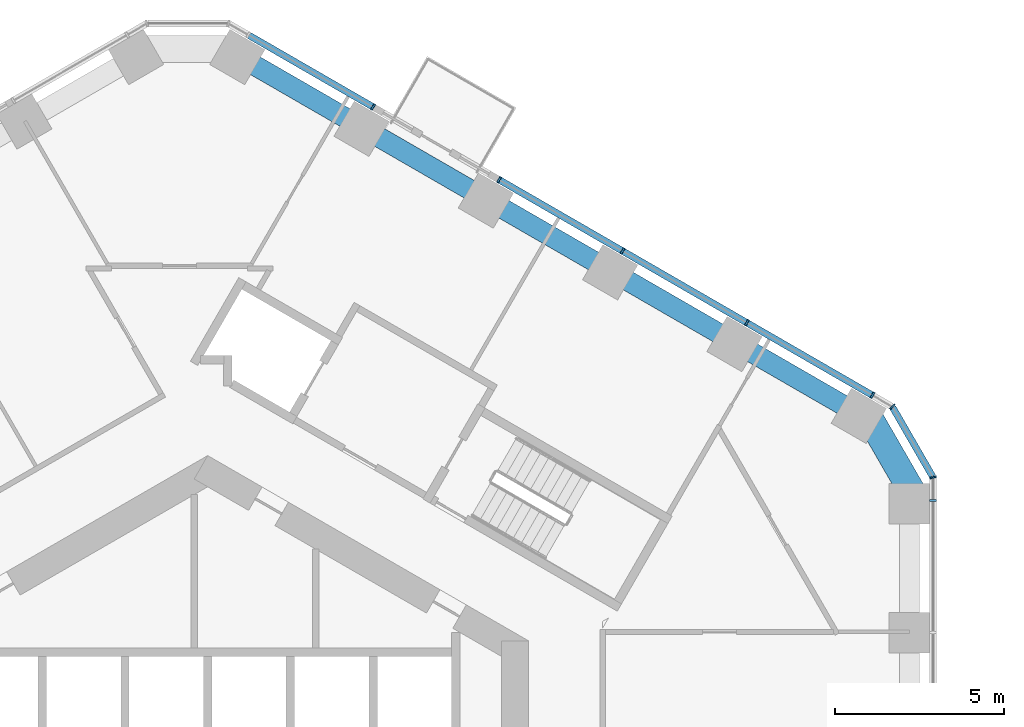
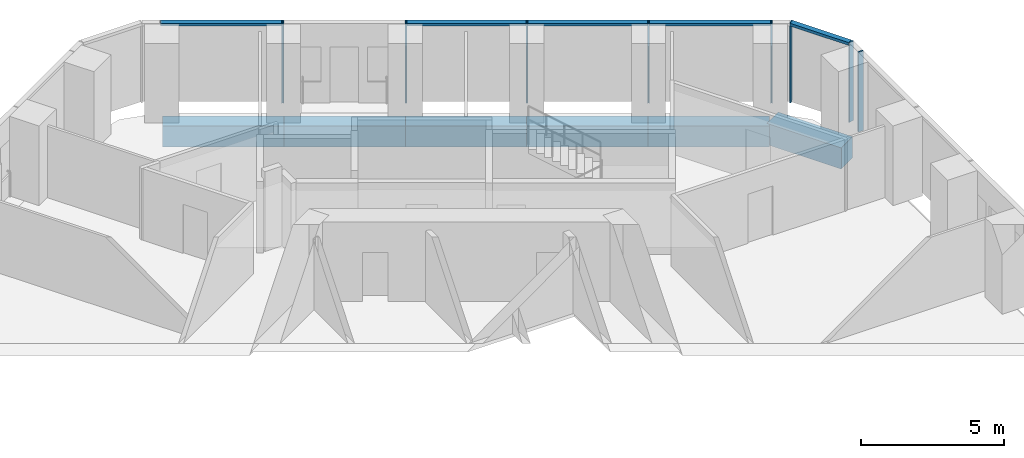
# One storey, part 7 of 20: 11 members, 6 beams, 4 elements without a shape of their own.
"""IFC4 building model written with IfcOpenShell, lengths in metres."""

import ifcopenshell
import ifcopenshell.guid

model = None  # the IFC model being written
_history = None  # IfcOwnerHistory: only IFC2X3 demands one
_inside = {}  # id of a spatial element -> (the spatial element, [elements in it])
_under = {}  # id of a project, library or spatial element -> (it, [spatial elements below it])
_declared = {}  # id of a project -> (the project, [libraries it declares])
_typed = {}  # id of a type object -> (the type object, [elements of that type])
_made_of = {}  # id of a material, layer set ... -> (it, [elements and type objects made of it])


def new_model(schema):
    """Start an empty IFC model of exactly this schema.

    Asked for "IFC4X3", IfcOpenShell would pick the latest addendum, in which some entities
    have other attributes; the version numbers below select the first issue.
    IFC2X3 requires an IfcOwnerHistory on every rooted entity: one is made here for all.
    """
    global model, _history
    if schema == "IFC4X3":
        model = ifcopenshell.file(schema_version=(4, 3, 0, 0))
    else:
        model = ifcopenshell.file(schema=schema)
    _inside.clear()
    _under.clear()
    _declared.clear()
    _typed.clear()
    _made_of.clear()
    _history = None
    if model.schema == "IFC2X3":
        org = make("IfcOrganization", Name="unknown")
        user = make(
            "IfcPersonAndOrganization",
            ThePerson=make("IfcPerson", FamilyName="unknown"),
            TheOrganization=org,
        )
        app = make(
            "IfcApplication",
            ApplicationDeveloper=org,
            Version="unknown",
            ApplicationFullName="unknown",
            ApplicationIdentifier="unknown",
        )
        _history = make(
            "IfcOwnerHistory",
            OwningUser=user,
            OwningApplication=app,
            ChangeAction="ADDED",
            CreationDate=0,
        )
    return model


def make(cls, **values):
    """One entity of the class cls with the attributes given. An attribute that is None is left unset."""
    return model.create_entity(
        cls, **{name: value for name, value in values.items() if value is not None}
    )


def rooted(cls, **values):
    """An entity with a GlobalId (a new one), such as an element, a storey or a relation."""
    return make(cls, GlobalId=ifcopenshell.guid.new(), OwnerHistory=_history, **values)


def si_unit(unit_type, name, prefix=None):
    """IfcSIUnit, for example si_unit("LENGTHUNIT", "METRE", prefix="MILLI")."""
    return make("IfcSIUnit", UnitType=unit_type, Prefix=prefix, Name=name)


def assignment(units):
    """IfcUnitAssignment: the units of a project."""
    return None if units is None else make("IfcUnitAssignment", Units=units)


def point(xyz):
    """IfcCartesianPoint."""
    return None if xyz is None else make("IfcCartesianPoint", Coordinates=xyz)


def direction(xyz):
    """IfcDirection."""
    return None if xyz is None else make("IfcDirection", DirectionRatios=xyz)


def frame(location, z_axis=None, x_axis=None):
    """IfcAxis2Placement3D, a coordinate frame: its origin and axes. An axis left out is left unset."""
    return make(
        "IfcAxis2Placement3D",
        Location=point(location),
        Axis=direction(z_axis),
        RefDirection=direction(x_axis),
    )


def frame_2d(location, x_axis=None):
    """IfcAxis2Placement2D, a coordinate frame in the plane: its origin and x axis."""
    return make(
        "IfcAxis2Placement2D", Location=point(location), RefDirection=direction(x_axis)
    )


def origin():
    """The frame at (0, 0, 0) with its axes left unset."""
    return frame((0.0, 0.0, 0.0))


def origin_2d():
    """The frame at (0, 0) in the plane with its x axis left unset."""
    return frame_2d((0.0, 0.0))


def place(relative_to, where):
    """IfcLocalPlacement: puts the frame where relative to a parent placement (None: the world)."""
    return make(
        "IfcLocalPlacement", PlacementRelTo=relative_to, RelativePlacement=where
    )


def context(
    kind, dimensions, precision=None, world=None, true_north=None, identifier=None
):
    """IfcGeometricRepresentationContext, for example the 3D "Model" context."""
    return make(
        "IfcGeometricRepresentationContext",
        ContextIdentifier=identifier,
        ContextType=kind,
        CoordinateSpaceDimension=dimensions,
        Precision=precision,
        WorldCoordinateSystem=world,
        TrueNorth=true_north,
    )


def subcontext(parent, identifier, kind, view, scale=None):
    """IfcGeometricRepresentationSubContext, for example "Body" below "Model"."""
    return make(
        "IfcGeometricRepresentationSubContext",
        ContextIdentifier=identifier,
        ContextType=kind,
        ParentContext=parent,
        TargetScale=scale,
        TargetView=view,
    )


def project(units=None, contexts=None):
    """IfcProject with its units and contexts."""
    return rooted(
        "IfcProject",
        Name="project",
        RepresentationContexts=contexts,
        UnitsInContext=assignment(units),
    )


def spatial(cls, under=None, at=None, **own):
    """A site, building, storey or space (cls), placed at a placement, below another one or the project."""
    s = rooted(cls, ObjectPlacement=at, **own)
    if under is not None:
        _under.setdefault(under.id(), (under, []))[1].append(s)
    return s


def profile(cls, at=None, kind="AREA", **sizes):
    """A parametric profile (cls). Its sizes go by their IFC names, for example OverallWidth=200.0."""
    return make(cls, ProfileType=kind, Position=at, **sizes)


def rectangle(**sizes):
    """IfcRectangleProfileDef."""
    return profile("IfcRectangleProfileDef", **sizes)


def extrude(swept, where, along, depth):
    """IfcExtrudedAreaSolid: the profile swept, set in the frame where, extruded along a direction by depth."""
    return make(
        "IfcExtrudedAreaSolid",
        SweptArea=swept,
        Position=where,
        ExtrudedDirection=direction(along),
        Depth=depth,
    )


def shape(context_of_items, identifier, shape_type, items):
    """IfcShapeRepresentation: the items that make up one representation, for example the "Body"."""
    return make(
        "IfcShapeRepresentation",
        ContextOfItems=context_of_items,
        RepresentationIdentifier=identifier,
        RepresentationType=shape_type,
        Items=items,
    )


def material(Name=None, Category=None):
    """IfcMaterial."""
    return make("IfcMaterial", Name=Name, Category=Category)


def layer(
    of_material, thickness, ventilated=None, Name=None, Category=None, Priority=None
):
    """IfcMaterialLayer: one layer of a wall or slab, of a material (None: an air gap)."""
    return make(
        "IfcMaterialLayer",
        Material=of_material,
        LayerThickness=thickness,
        IsVentilated=ventilated,
        Name=Name,
        Category=Category,
        Priority=Priority,
    )


def layer_set(layers, Name=None):
    """IfcMaterialLayerSet."""
    return make("IfcMaterialLayerSet", MaterialLayers=layers, LayerSetName=Name)


def material_profile(
    of_material, cross_section, Name=None, Category=None, Priority=None
):
    """IfcMaterialProfile: a cross section and its material."""
    return make(
        "IfcMaterialProfile",
        Name=Name,
        Material=of_material,
        Profile=cross_section,
        Priority=Priority,
        Category=Category,
    )


def profile_set(profiles, Name=None, composite=None):
    """IfcMaterialProfileSet."""
    return make(
        "IfcMaterialProfileSet",
        Name=Name,
        MaterialProfiles=profiles,
        CompositeProfile=composite,
    )


def made_of(thing, what):
    """Note that an element or type object is made of a material, layer set ...; save() writes the relation."""
    if what is not None:
        _made_of.setdefault(what.id(), (what, []))[1].append(thing)
    return thing


def type_object(cls, material=None, **own):
    """A type object (cls), such as IfcWallType, which elements share."""
    return made_of(rooted(cls, **own), material)


def element(
    cls,
    number,
    at=None,
    inside=None,
    cuts=None,
    type_object=None,
    material=None,
    context=None,
    identifier="Body",
    shape_type=None,
    held_by="IfcProductDefinitionShape",
    body=None,
    shapes=None,
    **own,
):
    """One element of the class cls, such as IfcWall. Its Tag is "e" and its number.

    at: its placement. inside: the storey or other place that contains it. cuts: it is an
    opening in that element (IfcRelVoidsElement). A single representation is given by context,
    identifier, shape_type and body (its items); several are given by shapes. held_by: the class
    of the entity that holds the representations. save() writes the other relations.
    """
    e = rooted(cls, Tag="e%d" % number, ObjectPlacement=at, **own)
    if body is not None:
        shapes = [shape(context, identifier, shape_type, body)]
    if shapes is not None:
        e.Representation = make(held_by, Representations=shapes)
    if inside is not None:
        _inside.setdefault(inside.id(), (inside, []))[1].append(e)
    if cuts is not None:
        rooted(
            "IfcRelVoidsElement", RelatingBuildingElement=cuts, RelatedOpeningElement=e
        )
    if type_object is not None:
        _typed.setdefault(type_object.id(), (type_object, []))[1].append(e)
    return made_of(e, material)


def aggregate(whole, parts):
    """IfcRelAggregates: a whole, such as a stair, and the parts it consists of."""
    return rooted("IfcRelAggregates", RelatingObject=whole, RelatedObjects=parts)


def save(model, path):
    """Write the relations noted so far, then the file.

    IfcRelAggregates (storeys below a building ...), IfcRelContainedInSpatialStructure (elements
    in a storey), IfcRelDefinesByType, IfcRelAssociatesMaterial and IfcRelDeclares: one each for
    every whole, place, type object, material and project.
    """
    for whole, parts in _under.values():
        aggregate(whole, parts)
    for where, things in _inside.values():
        rooted(
            "IfcRelContainedInSpatialStructure",
            RelatedElements=things,
            RelatingStructure=where,
        )
    for kind, things in _typed.values():
        rooted("IfcRelDefinesByType", RelatedObjects=things, RelatingType=kind)
    for what, things in _made_of.values():
        rooted("IfcRelAssociatesMaterial", RelatedObjects=things, RelatingMaterial=what)
    for by, libraries in _declared.values():
        rooted("IfcRelDeclares", RelatingContext=by, RelatedDefinitions=libraries)
    model.write(path)


model = new_model("IFC4")

# Units and contexts
model_context = context("Model", 3, precision=1e-05, world=origin(), true_north=direction((0.0, 1.0)))
body_context = subcontext(model_context, "Body", "Model", "MODEL_VIEW")
ifc_project = project(units=[si_unit("LENGTHUNIT", "METRE"), si_unit("AREAUNIT", "SQUARE_METRE"), si_unit("VOLUMEUNIT", "CUBIC_METRE"), si_unit("PLANEANGLEUNIT", "RADIAN"), si_unit("MASSUNIT", "GRAM", prefix="KILO")], contexts=[model_context])

# Site, building, storey
site_placement = place(None, origin())
site = spatial("IfcSite", under=ifc_project, at=site_placement, CompositionType="ELEMENT")
building_placement = place(site_placement, origin())
building = spatial("IfcBuilding", under=site, at=building_placement, Name="Ayvan Gate Tower", CompositionType="ELEMENT")
storey_placement = place(building_placement, frame((0.0, 0.0, 59.5)))
storey = spatial("IfcBuildingStorey", under=building, at=storey_placement, Name="L15", CompositionType="ELEMENT", Elevation=59.5)

# Beams
ifc_material_1 = material(Name="Concrete C40/50", Category="concrete")
ifc_material_profile_1 = material_profile(ifc_material_1, rectangle(XDim=0.800048828125, YDim=0.89990234375, at=origin_2d()), Name="RC 800x900")
ifc_profile_set_1 = profile_set([ifc_material_profile_1], Name="Concrete C40/50")
beam_type_1 = type_object("IfcBeamType", Name="Corner spandrel beam RC 800x900 C40/50", PredefinedType="BEAM", material=ifc_profile_set_1)
beam_placement = place(storey_placement, frame((20.97509765625, 9.708740234375, -0.800048828125), z_axis=(-0.499990139034, 0.866031096941, 0.0), x_axis=(-0.866031096941, -0.499990139034, 0.0)))
element("IfcBeam", 1, at=beam_placement, inside=storey, type_object=beam_type_1, Name="SB-L15-6", PredefinedType="BEAM", context=body_context, shape_type="SweptSolid", body=[
    extrude(rectangle(XDim=0.800048828125, YDim=0.89990234375, at=origin_2d()), origin(), (0.0, 0.0, 1.0), 3.0),
])
ifc_material_profile_2 = material_profile(ifc_material_1, rectangle(XDim=0.60009765625, YDim=0.89990234375, at=origin_2d()), Name="RC 600x900")
ifc_profile_set_2 = profile_set([ifc_material_profile_2], Name="Concrete C40/50")
beam_type_2 = type_object("IfcBeamType", Name="Spandrel beam RC 600x900 C40/50", PredefinedType="BEAM", material=ifc_profile_set_2)
for number, where, z_axis, x_axis, name in (
    (2, (19.28466796875, 12.19677734375, -0.800048828125), (-0.866016865031, 0.500014789262, 0.0), (-0.500014789262, -0.866016865031, 0.0), "SB-L15-7"),
    (3, (15.61181640625, 14.3173828125, -0.800048828125), (-0.866016865031, 0.500014789262, 0.0), (-0.500014789262, -0.866016865031, 0.0), "SB-L15-8"),
    (4, (11.93896484375, 16.43798828125, -0.800048828125), (-0.8660417918, 0.499971614051, 0.0), (-0.499971614051, -0.8660417918, 0.0), "SB-L15-9"),
    (5, (8.26611328125, 18.558349609375, -0.800048828125), (-0.866016865031, 0.500014789262, 0.0), (-0.500014789262, -0.866016865031, 0.0), "SB-L15-10"),
    (6, (4.59326171875, 20.678955078125, -0.800048828125), (-0.8660417918, 0.499971614051, 0.0), (-0.499971614051, -0.8660417918, 0.0), "SB-L15-11"),
):
    element("IfcBeam", number, at=place(storey_placement, frame(where, z_axis=z_axis, x_axis=x_axis)), inside=storey, type_object=beam_type_2, Name=name, PredefinedType="BEAM", context=body_context, shape_type="SweptSolid", body=[
        extrude(rectangle(XDim=0.60009765625, YDim=0.89990234375, at=origin_2d()), origin(), (0.0, 0.0, 1.0), 4.240966796875),
    ])

# Curtain wall, member
ifc_material_2 = material(Name="Bronze anodised aluminium", Category="aluminium")
ifc_layer_1 = layer(ifc_material_2, 0.199951171875)
ifc_layer_set_1 = layer_set([ifc_layer_1], Name="Bronze anodised aluminium")
curtain_wall_type_1 = type_object("IfcCurtainWallType", Name="Stick curtain wall CW-1", PredefinedType="NOTDEFINED", material=ifc_layer_set_1)
curtain_wall_1_placement = place(storey_placement, origin())
curtain_wall_1 = element("IfcCurtainWall", 7, at=curtain_wall_1_placement, inside=storey, type_object=curtain_wall_type_1, Name="Stick curtain wall CW-1 L15", PredefinedType="NOTDEFINED")
ifc_material_profile_3 = material_profile(ifc_material_2, rectangle(XDim=0.199951171875, YDim=0.06005859375, at=origin_2d()), Name="Stick curtain wall CW-1 mullion 200 x 60")
ifc_profile_set_3 = profile_set([ifc_material_profile_3], Name="Bronze anodised aluminium")
member_type_1 = type_object("IfcMemberType", Name="Stick curtain wall CW-1 mullion 200 x 60", PredefinedType="MULLION", material=ifc_profile_set_3)
member_1_placement = place(storey_placement, frame((21.484619140625, 9.644775390625, 0.0), z_axis=(0.0, 0.0, 1.0), x_axis=(1.0, 0.0, 0.0)))
member_1 = element("IfcMember", 8, at=member_1_placement, type_object=member_type_1, Name="CW-1 mullion 3", PredefinedType="MULLION", context=body_context, shape_type="SweptSolid", body=[
    extrude(rectangle(XDim=0.199951171875, YDim=0.06005859375, at=origin_2d()), origin(), (0.0, 0.0, 1.0), 3.39990234375),
])
aggregate(curtain_wall_1, [member_1])

# Curtain wall, members
curtain_wall_2_placement = place(storey_placement, origin())
curtain_wall_2 = element("IfcCurtainWall", 9, at=curtain_wall_2_placement, inside=storey, type_object=curtain_wall_type_1, Name="Stick curtain wall CW-1 L15", PredefinedType="NOTDEFINED")
member_2_placement = place(storey_placement, frame((19.6884765625, 12.755859375, 0.0), z_axis=(0.0, 0.0, 1.0), x_axis=(0.5, 0.866025403784, 0.0)))
member_2 = element("IfcMember", 10, at=member_2_placement, type_object=member_type_1, Name="CW-1 mullion 1", PredefinedType="MULLION", context=body_context, shape_type="SweptSolid", body=[
    extrude(rectangle(XDim=0.199951171875, YDim=0.06005859375, at=origin_2d()), origin(), (0.0, 0.0, 1.0), 3.39990234375),
])
member_3_placement = place(storey_placement, frame((15.968017578125, 14.90380859375, 0.0), z_axis=(0.0, 0.0, 1.0), x_axis=(0.5, 0.866025403784, 0.0)))
member_3 = element("IfcMember", 11, at=member_3_placement, type_object=member_type_1, Name="CW-1 mullion 2", PredefinedType="MULLION", context=body_context, shape_type="SweptSolid", body=[
    extrude(rectangle(XDim=0.199951171875, YDim=0.06005859375, at=origin_2d()), origin(), (0.0, 0.0, 1.0), 3.39990234375),
])
member_4_placement = place(storey_placement, frame((12.28662109375, 17.029296875, 0.0), z_axis=(0.0, 0.0, 1.0), x_axis=(0.5, 0.866025403784, 0.0)))
member_4 = element("IfcMember", 12, at=member_4_placement, type_object=member_type_1, Name="CW-1 mullion 3", PredefinedType="MULLION", context=body_context, shape_type="SweptSolid", body=[
    extrude(rectangle(XDim=0.199951171875, YDim=0.06005859375, at=origin_2d()), origin(), (0.0, 0.0, 1.0), 3.39990234375),
])
member_5_placement = place(storey_placement, frame((8.631103515625, 19.139892578125, 0.0), z_axis=(0.0, 0.0, 1.0), x_axis=(0.5, 0.866025403784, 0.0)))
member_5 = element("IfcMember", 13, at=member_5_placement, type_object=member_type_1, Name="CW-1 mullion 4", PredefinedType="MULLION", context=body_context, shape_type="SweptSolid", body=[
    extrude(rectangle(XDim=0.199951171875, YDim=0.06005859375, at=origin_2d()), origin(), (0.0, 0.0, 1.0), 3.39990234375),
])

# Curtain wall, member
curtain_wall_3_placement = place(storey_placement, origin())
curtain_wall_3 = element("IfcCurtainWall", 14, at=curtain_wall_3_placement, inside=storey, type_object=curtain_wall_type_1, Name="Stick curtain wall CW-1 L15", PredefinedType="NOTDEFINED")
member_6_placement = place(storey_placement, frame((4.897705078125, 21.29541015625, 0.0), z_axis=(0.0, 0.0, 1.0), x_axis=(0.5, 0.866025403784, 0.0)))
member_6 = element("IfcMember", 15, at=member_6_placement, type_object=member_type_1, Name="CW-1 mullion 1", PredefinedType="MULLION", context=body_context, shape_type="SweptSolid", body=[
    extrude(rectangle(XDim=0.199951171875, YDim=0.06005859375, at=origin_2d()), origin(), (0.0, 0.0, 1.0), 3.39990234375),
])

# Member
ifc_material_profile_4 = material_profile(ifc_material_2, rectangle(XDim=0.199951171875, YDim=0.1201171875, at=origin_2d()), Name="Stick curtain wall CW-1 transom 200 x 120")
ifc_profile_set_4 = profile_set([ifc_material_profile_4], Name="Bronze anodised aluminium")
member_type_2 = type_object("IfcMemberType", Name="Stick curtain wall CW-1 transom 200 x 120", PredefinedType="USERDEFINED", material=ifc_profile_set_4)
member_7_placement = place(storey_placement, frame((19.6884765625, 12.755859375, 3.340087890625), z_axis=(-0.866023508057, 0.500003283482, 0.0), x_axis=(-0.500003283482, -0.866023508057, 0.0)))
member_7 = element("IfcMember", 16, at=member_7_placement, type_object=member_type_2, Name="CW-1 transom 1", ObjectType="TRANSOM", PredefinedType="USERDEFINED", context=body_context, shape_type="SweptSolid", body=[
    extrude(rectangle(XDim=0.199951171875, YDim=0.1201171875, at=origin_2d()), origin(), (0.0, 0.0, 1.0), 12.76806640625),
])

aggregate(curtain_wall_2, [member_2, member_3, member_4, member_5, member_7])

member_8_placement = place(storey_placement, frame((4.897705078125, 21.29541015625, 3.340087890625), z_axis=(-0.866030268096, 0.49999157467, 0.0), x_axis=(-0.49999157467, -0.866030268096, 0.0)))
member_8 = element("IfcMember", 17, at=member_8_placement, type_object=member_type_2, Name="CW-1 transom 1", ObjectType="TRANSOM", PredefinedType="USERDEFINED", context=body_context, shape_type="SweptSolid", body=[
    extrude(rectangle(XDim=0.199951171875, YDim=0.1201171875, at=origin_2d()), origin(), (0.0, 0.0, 1.0), 4.2666015625),
])

aggregate(curtain_wall_3, [member_6, member_8])

# Curtain wall, members
ifc_layer_2 = layer(ifc_material_2, 0.199951171875)
ifc_layer_set_2 = layer_set([ifc_layer_2], Name="Bronze anodised aluminium")
curtain_wall_type_2 = type_object("IfcCurtainWallType", Name="Stick curtain wall CW-6", PredefinedType="NOTDEFINED", material=ifc_layer_set_2)
curtain_wall_4_placement = place(storey_placement, origin())
curtain_wall_4 = element("IfcCurtainWall", 18, at=curtain_wall_4_placement, inside=storey, type_object=curtain_wall_type_2, Name="Stick curtain wall CW-6 L15", PredefinedType="NOTDEFINED")
ifc_material_profile_5 = material_profile(ifc_material_2, rectangle(XDim=0.199951171875, YDim=0.050048828125, at=origin_2d()), Name="Stick curtain wall CW-6 mullion 200 x 50")
ifc_profile_set_5 = profile_set([ifc_material_profile_5], Name="Bronze anodised aluminium")
member_type_3 = type_object("IfcMemberType", Name="Stick curtain wall CW-6 mullion 200 x 50", PredefinedType="MULLION", material=ifc_profile_set_5)
member_9_placement = place(storey_placement, frame((21.484619140625, 10.32470703125, 0.0), z_axis=(0.0, 0.0, 1.0), x_axis=(0.965925826289, 0.258819045103, 0.0)))
member_9 = element("IfcMember", 19, at=member_9_placement, type_object=member_type_3, Name="CW-6 mullion 2", PredefinedType="MULLION", context=body_context, shape_type="SweptSolid", body=[
    extrude(rectangle(XDim=0.199951171875, YDim=0.050048828125, at=origin_2d()), origin(), (0.0, 0.0, 1.0), 3.39990234375),
])
member_10_placement = place(storey_placement, frame((20.27734375, 12.415771484375, 0.0), z_axis=(0.0, 0.0, 1.0), x_axis=(0.707106781187, 0.707106781187, 0.0)))
member_10 = element("IfcMember", 20, at=member_10_placement, type_object=member_type_3, Name="CW-6 mullion 3", PredefinedType="MULLION", context=body_context, shape_type="SweptSolid", body=[
    extrude(rectangle(XDim=0.199951171875, YDim=0.050048828125, at=origin_2d()), origin(), (0.0, 0.0, 1.0), 3.39990234375),
])
ifc_material_profile_6 = material_profile(ifc_material_2, rectangle(XDim=0.199951171875, YDim=0.1201171875, at=origin_2d()), Name="Stick curtain wall CW-6 transom 200 x 120")
ifc_profile_set_6 = profile_set([ifc_material_profile_6], Name="Bronze anodised aluminium")
member_type_4 = type_object("IfcMemberType", Name="Stick curtain wall CW-6 transom 200 x 120", PredefinedType="USERDEFINED", material=ifc_profile_set_6)
member_11_placement = place(storey_placement, frame((21.47216796875, 10.346435546875, 3.340087890625), z_axis=(-0.500014398087, 0.866017090885, 0.0), x_axis=(-0.866017090885, -0.500014398087, 0.0)))
member_11 = element("IfcMember", 21, at=member_11_placement, type_object=member_type_4, Name="CW-6 transom 2", ObjectType="TRANSOM", PredefinedType="USERDEFINED", context=body_context, shape_type="SweptSolid", body=[
    extrude(rectangle(XDim=0.199951171875, YDim=0.1201171875, at=origin_2d()), origin(), (0.0, 0.0, 1.0), 2.36474609375),
])
aggregate(curtain_wall_4, [member_9, member_10, member_11])

save(model, "model.ifc")
